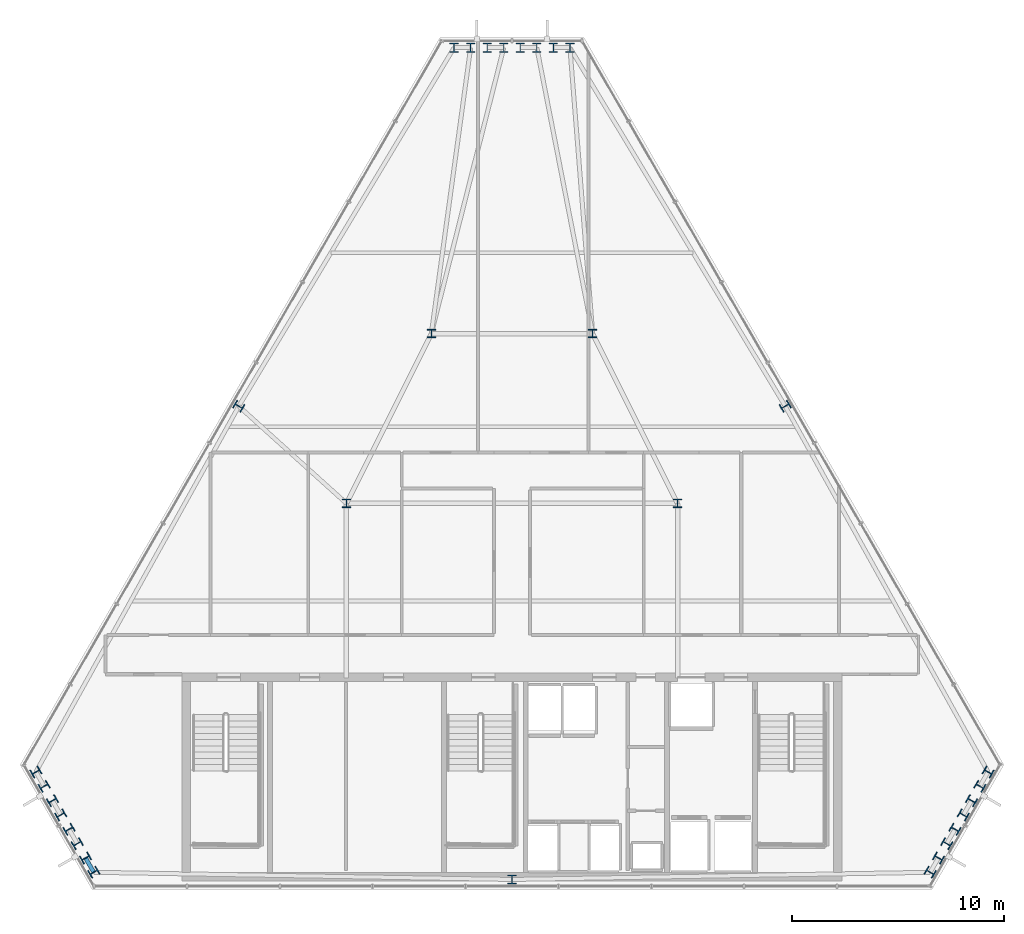
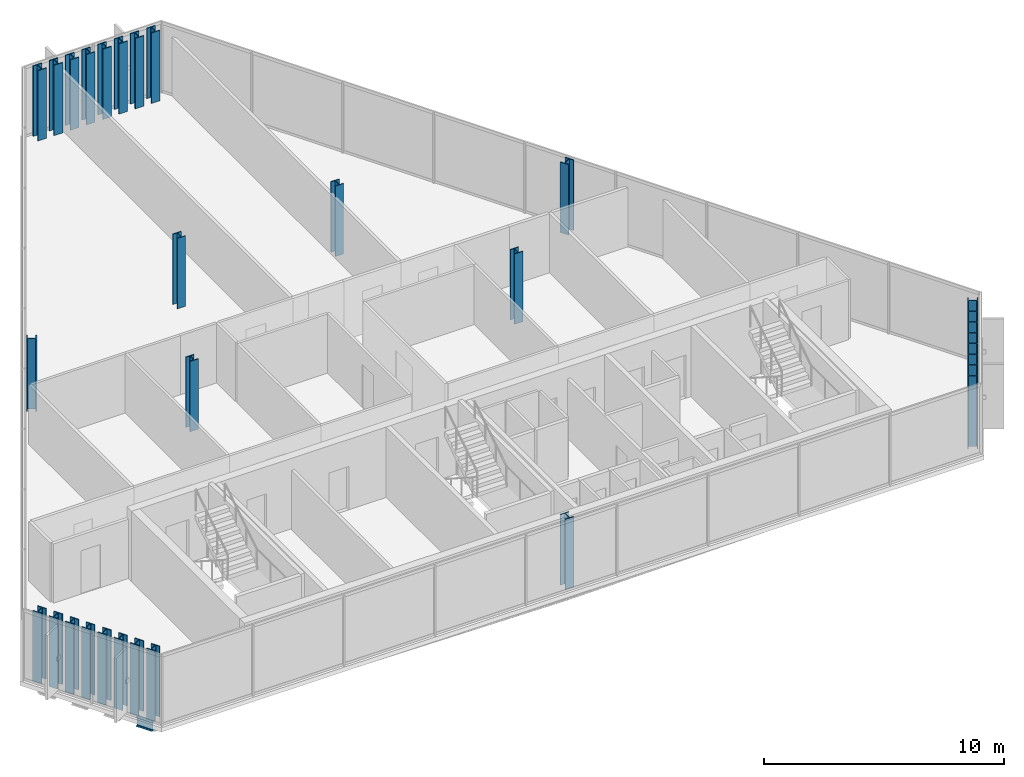
# One storey, part 1 of 29: 31 columns, 1 beam.
"""IFC4 building model written with IfcOpenShell, lengths in metres."""

from ifc_helpers import new_model, si_unit, direction, frame, origin, origin_2d, place, context, subcontext, project, spatial, i_section, extrude, material, material_profile, profile_set, type_object, element, save


model = new_model("IFC4")

# Units and contexts
model_context = context("Model", 3, precision=1e-05, world=origin(), true_north=direction((0.0, 1.0)))
body_context = subcontext(model_context, "Body", "Model", "MODEL_VIEW")
ifc_project = project(units=[si_unit("LENGTHUNIT", "METRE"), si_unit("AREAUNIT", "SQUARE_METRE"), si_unit("VOLUMEUNIT", "CUBIC_METRE"), si_unit("PLANEANGLEUNIT", "RADIAN"), si_unit("MASSUNIT", "GRAM", prefix="KILO")], contexts=[model_context])

# Site, building, storey
site_placement = place(None, origin())
site = spatial("IfcSite", under=ifc_project, at=site_placement, CompositionType="ELEMENT")
building_placement = place(site_placement, origin())
building = spatial("IfcBuilding", under=site, at=building_placement, Name="Ndaravel Arena Tower", CompositionType="ELEMENT")
storey_placement = place(building_placement, frame((0.0, 0.0, 244.60009765625)))
storey = spatial("IfcBuildingStorey", under=building, at=storey_placement, Name="L59", CompositionType="ELEMENT", Elevation=244.60009765625)

# Columns
ifc_material_1 = material(Name="Steel S355", Category="steel")
ifc_material_profile_1 = material_profile(ifc_material_1, i_section(OverallWidth=0.39892578125, OverallDepth=0.3935546875, WebThickness=0.022705078125, FlangeThickness=0.03662109375, FilletRadius=0.01513671875, at=origin_2d()), Name="UC 356x406x287")
ifc_profile_set_1 = profile_set([ifc_material_profile_1], Name="Steel S355")
column_type_1 = type_object("IfcColumnType", Name="COL-INT-UC287", PredefinedType="COLUMN", material=ifc_profile_set_1)
for number, where, z_axis, x_axis, name in (
    (1, (34.199951171875, 23.199951171875, 0.0), (0.0, 0.0, 1.0), (1.0, 0.0, 0.0), "L59 Interior Spine Column IC-01"),
    (2, (49.800048828125, 23.199951171875, 0.0), (0.0, 0.0, 1.0), (1.0, 0.0, 0.0), "L59 Interior Spine Column IC-02"),
    (3, (38.199951171875, 31.199951171875, 0.0), (0.0, 0.0, 1.0), (1.0, 0.0, 0.0), "L59 Interior Spine Column IC-03"),
    (4, (45.800048828125, 31.199951171875, 0.0), (0.0, 0.0, 1.0), (1.0, 0.0, 0.0), "L59 Interior Spine Column IC-04"),
):
    element("IfcColumn", number, at=place(storey_placement, frame(where, z_axis=z_axis, x_axis=x_axis)), inside=storey, type_object=column_type_1, Name=name, PredefinedType="COLUMN", context=body_context, shape_type="SweptSolid", body=[
        extrude(i_section(OverallWidth=0.39892578125, OverallDepth=0.3935546875, WebThickness=0.022705078125, FlangeThickness=0.03662109375, FilletRadius=0.01513671875, at=origin_2d()), origin(), (0.0, 0.0, 1.0), 3.579833984375),
    ])
ifc_material_2 = material(Name="Steel S355", Category="steel")
ifc_material_profile_2 = material_profile(ifc_material_2, i_section(OverallWidth=0.412109375, OverallDepth=0.43505859375, WebThickness=0.035888671875, FlangeThickness=0.0439453125, FilletRadius=0.014892578125, at=origin_2d()), Name="HD 400x463")
ifc_profile_set_2 = profile_set([ifc_material_profile_2], Name="Steel S355")
column_type_2 = type_object("IfcColumnType", Name="COL-TUBE-HD463", PredefinedType="COLUMN", material=ifc_profile_set_2)
for number, where, z_axis, x_axis, name in (
    (5, (42.0, 5.47998046875, 0.0), (0.0, 0.0, 1.0), (1.0, 0.0, 0.0), "L59 Framed Tube Column TC-01"),
    (6, (61.7021484375, 5.817626953125, 0.0), (0.0, 0.0, 1.0), (0.5, 0.866025403784, 0.0), "L59 Framed Tube Column TC-02"),
    (7, (62.092041015625, 6.492919921875, 0.0), (0.0, 0.0, 1.0), (0.5, 0.866025403784, 0.0), "L59 Framed Tube Column TC-03"),
    (8, (62.48193359375, 7.168212890625, 0.0), (0.0, 0.0, 1.0), (0.5, 0.866025403784, 0.0), "L59 Framed Tube Column TC-04"),
    (9, (62.871826171875, 7.843505859375, 0.0), (0.0, 0.0, 1.0), (0.5, 0.866025403784, 0.0), "L59 Framed Tube Column TC-05"),
    (10, (63.26171875, 8.5185546875, 0.0), (0.0, 0.0, 1.0), (0.5, 0.866025403784, 0.0), "L59 Framed Tube Column TC-06"),
    (11, (63.651611328125, 9.19384765625, 0.0), (0.0, 0.0, 1.0), (0.5, 0.866025403784, 0.0), "L59 Framed Tube Column TC-07"),
    (12, (64.041259765625, 9.869140625, 0.0), (0.0, 0.0, 1.0), (0.5, 0.866025403784, 0.0), "L59 Framed Tube Column TC-08"),
    (13, (64.43115234375, 10.54443359375, 0.0), (0.0, 0.0, 1.0), (0.5, 0.866025403784, 0.0), "L59 Framed Tube Column TC-09"),
    (14, (54.87255859375, 27.77587890625, 0.0), (0.0, 0.0, 1.0), (-0.5, 0.866025403784, 0.0), "L59 Framed Tube Column TC-10"),
    (15, (44.72900390625, 44.669677734375, 0.0), (0.0, 0.0, 1.0), (1.0, 0.0, 0.0), "L59 Framed Tube Column TC-11"),
    (16, (43.94921875, 44.669677734375, 0.0), (0.0, 0.0, 1.0), (1.0, 0.0, 0.0), "L59 Framed Tube Column TC-12"),
    (17, (43.169677734375, 44.669677734375, 0.0), (0.0, 0.0, 1.0), (1.0, 0.0, 0.0), "L59 Framed Tube Column TC-13"),
    (18, (42.389892578125, 44.669677734375, 0.0), (0.0, 0.0, 1.0), (1.0, 0.0, 0.0), "L59 Framed Tube Column TC-14"),
    (19, (41.610107421875, 44.669677734375, 0.0), (0.0, 0.0, 1.0), (1.0, 0.0, 0.0), "L59 Framed Tube Column TC-15"),
    (20, (40.830322265625, 44.669677734375, 0.0), (0.0, 0.0, 1.0), (1.0, 0.0, 0.0), "L59 Framed Tube Column TC-16"),
    (21, (40.05078125, 44.669677734375, 0.0), (0.0, 0.0, 1.0), (1.0, 0.0, 0.0), "L59 Framed Tube Column TC-17"),
    (22, (39.27099609375, 44.669677734375, 0.0), (0.0, 0.0, 1.0), (1.0, 0.0, 0.0), "L59 Framed Tube Column TC-18"),
    (23, (29.12744140625, 27.77587890625, 0.0), (0.0, 0.0, 1.0), (0.5, 0.866025403784, 0.0), "L59 Framed Tube Column TC-19"),
    (24, (19.56884765625, 10.54443359375, 0.0), (0.0, 0.0, 1.0), (-0.5, 0.866025403784, 0.0), "L59 Framed Tube Column TC-20"),
    (25, (19.958740234375, 9.869140625, 0.0), (0.0, 0.0, 1.0), (-0.5, 0.866025403784, 0.0), "L59 Framed Tube Column TC-21"),
    (26, (20.348388671875, 9.19384765625, 0.0), (0.0, 0.0, 1.0), (-0.5, 0.866025403784, 0.0), "L59 Framed Tube Column TC-22"),
    (27, (20.73828125, 8.5185546875, 0.0), (0.0, 0.0, 1.0), (-0.5, 0.866025403784, 0.0), "L59 Framed Tube Column TC-23"),
    (28, (21.128173828125, 7.843505859375, 0.0), (0.0, 0.0, 1.0), (-0.5, 0.866025403784, 0.0), "L59 Framed Tube Column TC-24"),
    (29, (21.51806640625, 7.168212890625, 0.0), (0.0, 0.0, 1.0), (-0.5, 0.866025403784, 0.0), "L59 Framed Tube Column TC-25"),
    (30, (21.907958984375, 6.492919921875, 0.0), (0.0, 0.0, 1.0), (-0.5, 0.866025403784, 0.0), "L59 Framed Tube Column TC-26"),
    (31, (22.2978515625, 5.817626953125, 0.0), (0.0, 0.0, 1.0), (-0.5, 0.866025403784, 0.0), "L59 Framed Tube Column TC-27"),
):
    element("IfcColumn", number, at=place(storey_placement, frame(where, z_axis=z_axis, x_axis=x_axis)), inside=storey, type_object=column_type_2, Name=name, PredefinedType="COLUMN", context=body_context, shape_type="SweptSolid", body=[
        extrude(i_section(OverallWidth=0.412109375, OverallDepth=0.43505859375, WebThickness=0.035888671875, FlangeThickness=0.0439453125, FilletRadius=0.014892578125, at=origin_2d()), origin(), (0.0, 0.0, 1.0), 3.579833984375),
    ])

# Beam
ifc_material_3 = material(Name="Steel S355", Category="steel")
ifc_material_profile_3 = material_profile(ifc_material_3, i_section(OverallWidth=0.18994140625, OverallDepth=0.449951171875, WebThickness=0.009521484375, FlangeThickness=0.0146484375, FilletRadius=0.02099609375, at=origin_2d()), Name="IPE 450")
ifc_profile_set_3 = profile_set([ifc_material_profile_3], Name="Steel S355")
beam_type = type_object("IfcBeamType", Name="BM-SPAN-IPE450", PredefinedType="SPANDREL", material=ifc_profile_set_3)
beam_placement = place(storey_placement, frame((21.907958984375, 6.492919921875, -0.445068359375), z_axis=(0.500011542666, -0.866018739521, 0.0), x_axis=(0.866018739521, 0.500011542666, 0.0)))
element("IfcBeam", 32, at=beam_placement, inside=storey, type_object=beam_type, Name="L59 Perimeter Spandrel Beam SP-26", PredefinedType="SPANDREL", context=body_context, shape_type="SweptSolid", body=[
    extrude(i_section(OverallWidth=0.18994140625, OverallDepth=0.449951171875, WebThickness=0.009521484375, FlangeThickness=0.0146484375, FilletRadius=0.02099609375, at=origin_2d()), origin(), (0.0, 0.0, 1.0), 0.77978515625),
])

save(model, "model.ifc")
